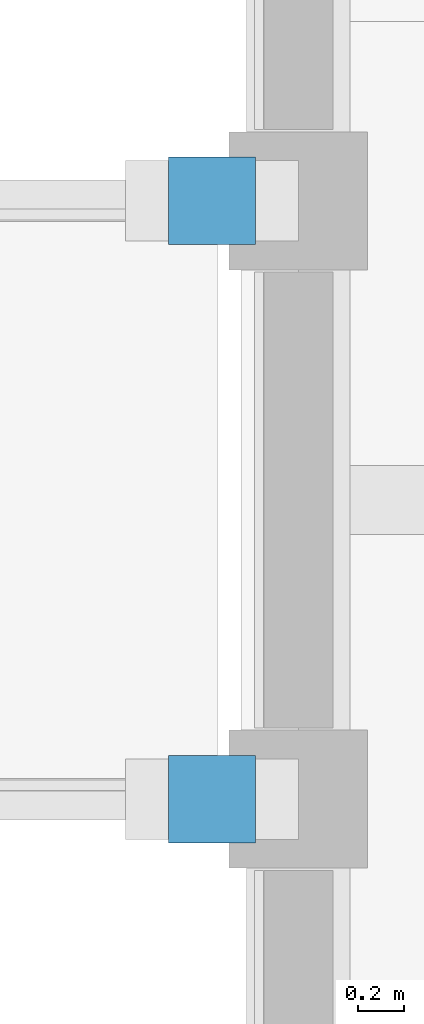
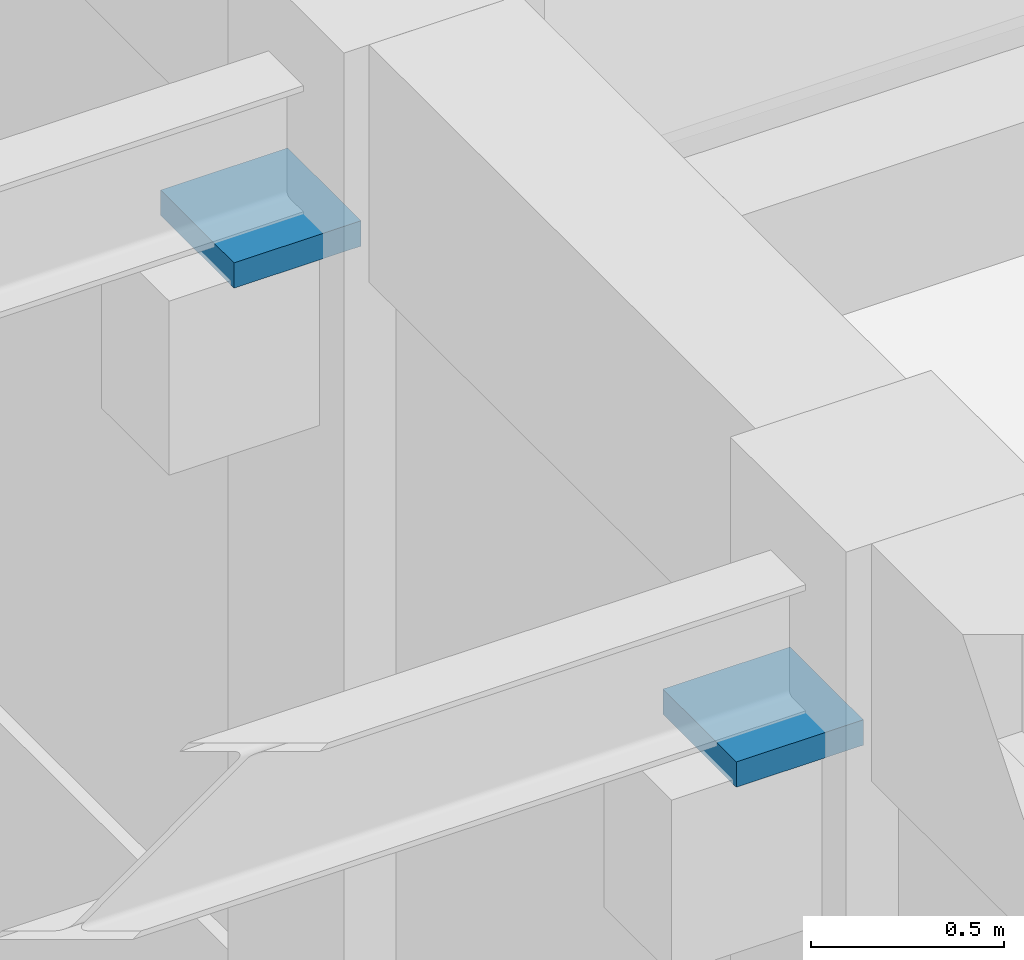
# One storey, part 43 of 57: 2 discrete accessories.
"""IFC4 building model written with IfcOpenShell, lengths in metres."""

from ifc_helpers import new_model, si_unit, direction, frame, origin, origin_2d, place, context, subcontext, project, spatial, rectangle, extrude, material, type_object, element, save


model = new_model("IFC4")

# Units and contexts
model_context = context("Model", 3, precision=1e-05, world=origin(), true_north=direction((0.0, 1.0)))
body_context = subcontext(model_context, "Body", "Model", "MODEL_VIEW")
ifc_project = project(units=[si_unit("LENGTHUNIT", "METRE"), si_unit("AREAUNIT", "SQUARE_METRE"), si_unit("VOLUMEUNIT", "CUBIC_METRE"), si_unit("PLANEANGLEUNIT", "RADIAN"), si_unit("MASSUNIT", "GRAM", prefix="KILO")], contexts=[model_context])

# Site, building, storey
site_placement = place(None, origin())
site = spatial("IfcSite", under=ifc_project, at=site_placement, CompositionType="ELEMENT")
building_placement = place(site_placement, origin())
building = spatial("IfcBuilding", under=site, at=building_placement, Name="Kemercrest Conservatory and Botanical Centre", CompositionType="ELEMENT")
storey_placement = place(building_placement, frame((0.0, 0.0, 4.800048828125)))
storey = spatial("IfcBuildingStorey", under=building, at=storey_placement, Name="L01", CompositionType="ELEMENT", Elevation=4.800048828125)

# Discrete accessories
ifc_material = material(Name="Stainless steel and PTFE elastomeric sliding bearing", Category="steel")
discrete_accessory_type = type_object("IfcDiscreteAccessoryType", Name="SB1", PredefinedType="BRACKET", material=ifc_material)
for number, where, z_axis, x_axis, name in (
    (1, (125.22509765625, 99.10009765625, 3.48291015625), (0.0, 0.0, 1.0), (1.0, 0.0, 0.0), "Seismic link bridge bearing SB1 SJ-3"),
    (2, (125.22509765625, 101.699951171875, 3.48291015625), (0.0, 0.0, 1.0), (1.0, 0.0, 0.0), "Seismic link bridge bearing SB1 SJ-3"),
):
    element("IfcDiscreteAccessory", number, at=place(storey_placement, frame(where, z_axis=z_axis, x_axis=x_axis)), inside=storey, type_object=discrete_accessory_type, Name=name, PredefinedType="BRACKET", context=body_context, shape_type="SweptSolid", body=[
        extrude(rectangle(XDim=0.3798828125, YDim=0.3798828125, at=origin_2d()), origin(), (0.0, 0.0, 1.0), 0.080078125),
    ])

save(model, "model.ifc")
